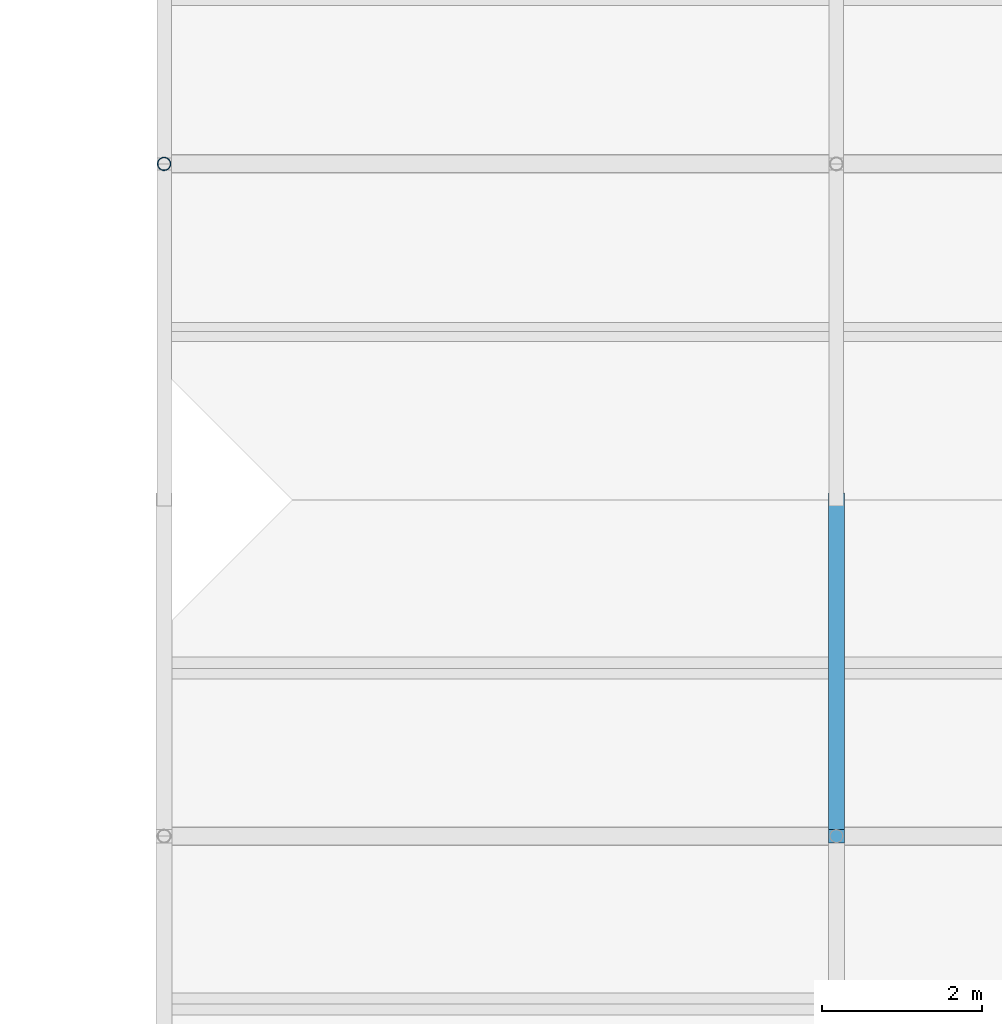
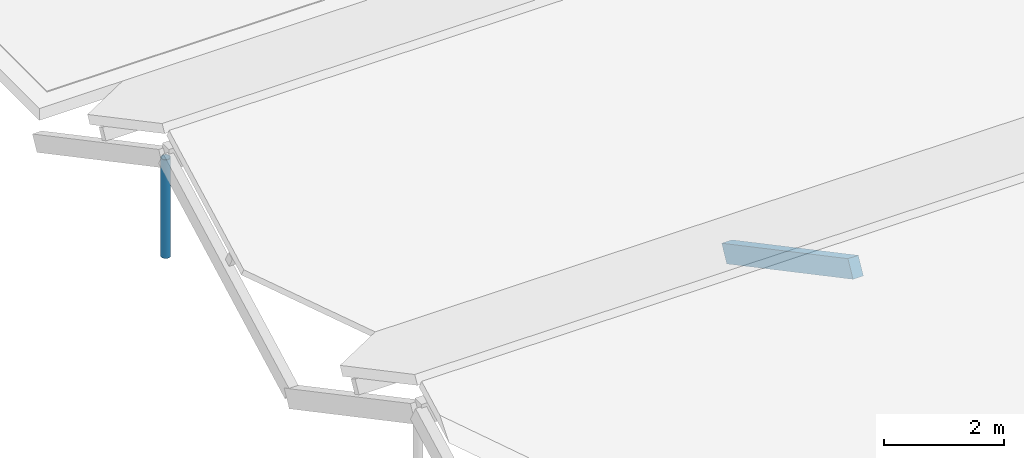
# One storey, part 40 of 82: 2 members.
"""IFC4 building model written with IfcOpenShell, lengths in metres."""

from ifc_helpers import new_model, si_unit, direction, frame, origin, origin_2d, place, context, subcontext, project, spatial, rectangle, hollow_circle, extrude, material, material_profile, profile_set, type_object, element, save


model = new_model("IFC4")

# Units and contexts
model_context = context("Model", 3, precision=1e-05, world=origin(), true_north=direction((0.0, 1.0)))
body_context = subcontext(model_context, "Body", "Model", "MODEL_VIEW")
ifc_project = project(units=[si_unit("LENGTHUNIT", "METRE"), si_unit("AREAUNIT", "SQUARE_METRE"), si_unit("VOLUMEUNIT", "CUBIC_METRE"), si_unit("PLANEANGLEUNIT", "RADIAN"), si_unit("MASSUNIT", "GRAM", prefix="KILO")], contexts=[model_context])

# Site, building, storey
site_placement = place(None, origin())
site = spatial("IfcSite", under=ifc_project, at=site_placement, CompositionType="ELEMENT")
building_placement = place(site_placement, origin())
building = spatial("IfcBuilding", under=site, at=building_placement, Name="Bramfleet General Hospital", CompositionType="ELEMENT")
storey_placement = place(building_placement, frame((0.0, 0.0, 34.199951171875)))
storey = spatial("IfcBuildingStorey", under=building, at=storey_placement, Name="Roof", CompositionType="ELEMENT", Elevation=34.199951171875)

# Members
ifc_material_1 = material(Name="Structural timber GL28h", Category="wood")
ifc_material_profile_1 = material_profile(ifc_material_1, rectangle(XDim=0.199951171875, YDim=0.360107421875, at=origin_2d()), Name="GL28h 360x200")
ifc_profile_set_1 = profile_set([ifc_material_profile_1], Name="Structural timber GL28h")
member_type_1 = type_object("IfcMemberType", Name="MEM-RF-GL360", PredefinedType="RAFTER", material=ifc_profile_set_1)
member_1_placement = place(storey_placement, frame((100.800048828125, 54.60009765625, 1.476806640625), z_axis=(0.0, 0.882947536541, -0.469471668705), x_axis=(-1.0, 0.0, 0.0)))
element("IfcMember", 1, at=member_1_placement, inside=storey, type_object=member_type_1, Name="Patient House PH-11 North Glulam Rafter 1", PredefinedType="RAFTER", context=body_context, shape_type="SweptSolid", body=[
    extrude(rectangle(XDim=0.199951171875, YDim=0.360107421875, at=origin_2d()), origin(), (0.0, 0.0, 1.0), 4.7568359375),
])
ifc_material_2 = material(Name="Steel S355", Category="steel")
ifc_material_profile_2 = material_profile(ifc_material_2, hollow_circle(Radius=0.084228515625, WallThickness=0.008056640625, at=origin_2d()), Name="CHS 168.3x8.0")
ifc_profile_set_2 = profile_set([ifc_material_profile_2], Name="Steel S355")
member_type_2 = type_object("IfcMemberType", Name="MEM-SF-DG1", PredefinedType="STRUT", material=ifc_profile_set_2)
member_2_placement = place(storey_placement, frame((92.39990234375, 63.0, -0.43994140625), z_axis=(0.0, 0.0, 1.0), x_axis=(1.0, 0.0, 0.0)))
element("IfcMember", 2, at=member_2_placement, inside=storey, type_object=member_type_2, Name="Patient House PH-12 Ridge Timber Post 0", PredefinedType="STRUT", context=body_context, shape_type="SweptSolid", body=[
    extrude(hollow_circle(Radius=0.084228515625, WallThickness=0.008056640625, at=origin_2d()), origin(), (0.0, 0.0, 1.0), 2.001220703125),
])

save(model, "model.ifc")
